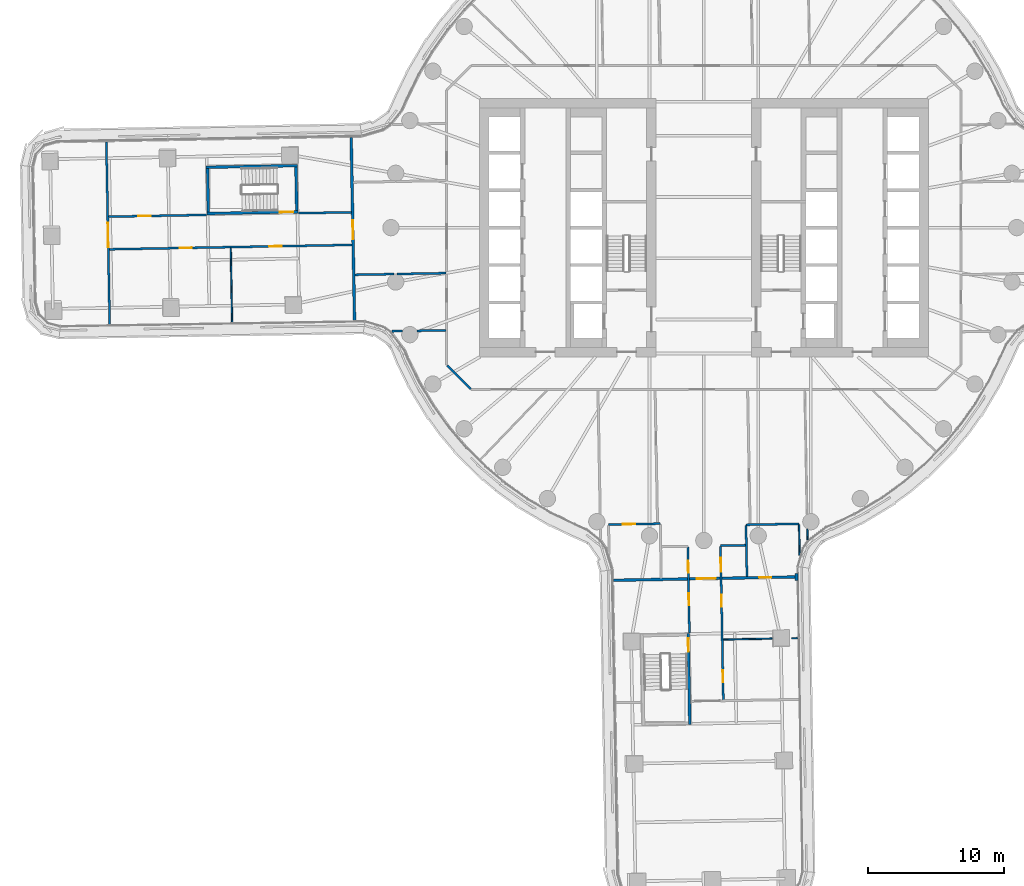
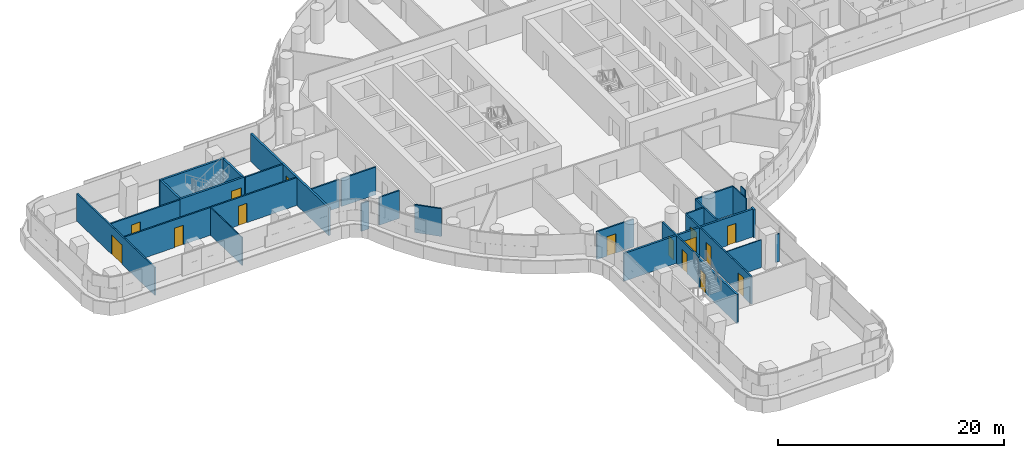
# One storey, part 19 of 31: 28 walls, 15 doors, 15 openings.
"""IFC4 building model written with IfcOpenShell, lengths in metres."""

from ifc_helpers import new_model, si_unit, direction, frame, frame_2d, origin, place, context, subcontext, project, spatial, polyline, rectangle, outline, extrude, material, layer, layer_set, type_object, element, fill, save


model = new_model("IFC4")

# Units and contexts
model_context = context("Model", 3, precision=1e-05, world=origin(), true_north=direction((0.0, 1.0)))
body_context = subcontext(model_context, "Body", "Model", "MODEL_VIEW")
ifc_project = project(units=[si_unit("LENGTHUNIT", "METRE"), si_unit("AREAUNIT", "SQUARE_METRE"), si_unit("VOLUMEUNIT", "CUBIC_METRE"), si_unit("PLANEANGLEUNIT", "RADIAN"), si_unit("MASSUNIT", "GRAM", prefix="KILO")], contexts=[model_context])

# Site, building, storey
site_placement = place(None, origin())
site = spatial("IfcSite", under=ifc_project, at=site_placement, CompositionType="ELEMENT")
building_placement = place(site_placement, origin())
building = spatial("IfcBuilding", under=site, at=building_placement, Name="Tamarind Cross Interchange Tower", CompositionType="ELEMENT")
storey_placement = place(building_placement, frame((0.0, 0.0, 37.75)))
storey = spatial("IfcBuildingStorey", under=building, at=storey_placement, Name="L07", CompositionType="ELEMENT", Elevation=37.75)

# Walls
ifc_material_1 = material(Name="Gypsum board partition on steel studs", Category="steel")
ifc_layer_1 = layer(ifc_material_1, 0.10009765625)
ifc_layer_set_1 = layer_set([ifc_layer_1], Name="Gypsum board partition on steel studs")
wall_type_1 = type_object("IfcWallType", Name="Partition 100 mm EI 90", PredefinedType="PARTITIONING", material=ifc_layer_set_1)
wall_1_placement = place(storey_placement, frame((-34.77490234375, -1.492919921875, 0.0), z_axis=(0.0, 0.0, 1.0), x_axis=(0.018271378551, -0.999833064429, 0.0)))
element("IfcWall", 1, at=wall_1_placement, inside=storey, type_object=wall_type_1, Name="Partition L07-002", PredefinedType="PARTITIONING", context=body_context, shape_type="SweptSolid", body=[
    extrude(rectangle(XDim=5.465087890625, YDim=0.10009765625, at=frame_2d((2.732421875, 0.0))), origin(), (0.0, 0.0, 1.0), 3.010009765625),
])
wall_2_placement = place(storey_placement, frame((6.998046875, -21.83203125, 0.0), z_axis=(0.0, 0.0, 1.0), x_axis=(0.01816309324, -0.999835037416, 0.0)))
element("IfcWall", 2, at=wall_2_placement, inside=storey, type_object=wall_type_1, Name="Partition L07-022", PredefinedType="PARTITIONING", context=body_context, shape_type="SweptSolid", body=[
    extrude(rectangle(XDim=2.25830078125, YDim=0.10009765625, at=frame_2d((1.129150390625, 0.0))), origin(), (0.0, 0.0, 1.0), 3.010009765625),
])
wall_3_placement = place(storey_placement, frame((7.603759765625, -22.152587890625, 0.0), z_axis=(0.0, 0.0, 1.0), x_axis=(0.01802629026, -0.999837513229, 0.0)))
element("IfcWall", 3, at=wall_3_placement, inside=storey, type_object=wall_type_1, Name="Partition L07-024", PredefinedType="PARTITIONING", context=body_context, shape_type="SweptSolid", body=[
    extrude(rectangle(XDim=0.78564453125, YDim=0.10009765625, at=frame_2d((0.392822265625, 0.0))), origin(), (0.0, 0.0, 1.0), 3.010009765625),
])
wall_4_placement = place(storey_placement, frame((1.410888671875, -30.27587890625, 0.0), z_axis=(0.0, 0.0, 1.0), x_axis=(0.999833742132, 0.018234256043, 0.0)))
element("IfcWall", 4, at=wall_4_placement, inside=storey, type_object=wall_type_1, Name="Partition L07-061", PredefinedType="PARTITIONING", context=body_context, shape_type="SweptSolid", body=[
    extrude(rectangle(XDim=3.6015625, YDim=0.10009765625, at=frame_2d((1.80078125, 0.0))), origin(), (0.0, 0.0, 1.0), 3.010009765625),
])
wall_5_placement = place(storey_placement, frame((6.444580078125, -30.18408203125, 0.0), z_axis=(0.0, 0.0, 1.0), x_axis=(0.999832173276, 0.018320078689, 0.0)))
element("IfcWall", 5, at=wall_5_placement, inside=storey, type_object=wall_type_1, Name="Partition L07-062", PredefinedType="PARTITIONING", context=body_context, shape_type="SweptSolid", body=[
    extrude(rectangle(XDim=0.439697265625, YDim=0.10009765625, at=frame_2d((0.2197265625, 0.0))), origin(), (0.0, 0.0, 1.0), 3.010009765625),
])

# Wall, opening, door
ifc_layer_2 = layer(ifc_material_1, 0.14990234375)
ifc_layer_set_2 = layer_set([ifc_layer_2], Name="Gypsum board partition on steel studs")
wall_type_2 = type_object("IfcWallType", Name="Partition 150 mm EI 120", PredefinedType="PARTITIONING", material=ifc_layer_set_2)
wall_6_placement = place(storey_placement, frame((-43.9189453125, 6.30029296875, 0.0), z_axis=(0.0, 0.0, 1.0), x_axis=(0.01826686545, -0.999833146893, 0.0)))
wall_6 = element("IfcWall", 6, at=wall_6_placement, inside=storey, type_object=wall_type_2, Name="Partition L07-001", PredefinedType="PARTITIONING", context=body_context, shape_type="SweptSolid", body=[
    extrude(rectangle(XDim=13.4052734375, YDim=0.14990234375, at=frame_2d((6.70263671875, 0.0))), origin(), (0.0, 0.0, 1.0), 3.010009765625),
])
opening_1_placement = place(wall_6_placement, frame((5.94921875, 0.0, 0.0)))
opening_1 = element("IfcOpeningElement", 7, at=opening_1_placement, cuts=wall_6, Name="Opening D01", PredefinedType="OPENING", context=body_context, shape_type="SweptSolid", body=[
    extrude(rectangle(XDim=1.800048828125, YDim=2.10009765625, at=frame_2d((0.89990234375, 1.050048828125))), frame((0.0, 0.0849609375, 0.0), z_axis=(0.0, -1.0, 0.0), x_axis=(1.0, 0.0, 0.0)), (0.0, 0.0, 1.0), 0.169921875),
])
ifc_material_2 = material(Name="Fire-resisting door set")
door_type_1 = type_object("IfcDoorType", Name="Interior door 1800 x 2100 FD60S", OperationType="DOUBLE_DOOR_SINGLE_SWING", PredefinedType="DOOR", material=ifc_material_2)
door_1_placement = place(opening_1_placement, frame((1.800048828125, 0.0, 0.0), z_axis=(0.0, 0.0, 1.0), x_axis=(-1.0, 0.0, 0.0)))
door_1 = element("IfcDoor", 8, at=door_1_placement, inside=storey, type_object=door_type_1, Name="Door D01", OperationType="DOUBLE_DOOR_SINGLE_SWING", OverallHeight=2.10009765625, OverallWidth=1.800048828125, PredefinedType="DOOR", context=body_context, shape_type="SweptSolid", body=[
    extrude(rectangle(XDim=1.800048828125, YDim=2.10009765625, at=frame_2d((0.89990234375, 1.050048828125))), frame((0.0, 0.02490234375, 0.0), z_axis=(0.0, -1.0, 0.0), x_axis=(1.0, 0.0, 0.0)), (0.0, 0.0, 1.0), 0.050048828125),
])
fill(opening_1, door_1)

# Wall, openings, doors
wall_7_placement = place(storey_placement, frame((-1.1728515625, -23.48193359375, 0.0), z_axis=(0.0, 0.0, 1.0), x_axis=(0.017905493988, -0.999839683792, 0.0)))
wall_7 = element("IfcWall", 9, at=wall_7_placement, inside=storey, type_object=wall_type_2, Name="Partition L07-014", PredefinedType="PARTITIONING", context=body_context, shape_type="SweptSolid", body=[
    extrude(rectangle(XDim=6.29931640625, YDim=0.14990234375, at=frame_2d((3.149658203125, 0.0))), origin(), (0.0, 0.0, 1.0), 3.010009765625),
])
opening_2_placement = place(wall_7_placement, frame((0.989990234375, 0.0, 0.0)))
opening_2 = element("IfcOpeningElement", 10, at=opening_2_placement, cuts=wall_7, Name="Opening D07", PredefinedType="OPENING", context=body_context, shape_type="SweptSolid", body=[
    extrude(rectangle(XDim=0.89990234375, YDim=2.10009765625, at=frame_2d((0.449951171875, 1.050048828125))), frame((0.0, 0.0849609375, 0.0), z_axis=(0.0, -1.0, 0.0), x_axis=(1.0, 0.0, 0.0)), (0.0, 0.0, 1.0), 0.169921875),
])
opening_3_placement = place(wall_7_placement, frame((3.389404296875, 0.0, 0.0)))
opening_3 = element("IfcOpeningElement", 11, at=opening_3_placement, cuts=wall_7, Name="Opening D08", PredefinedType="OPENING", context=body_context, shape_type="SweptSolid", body=[
    extrude(rectangle(XDim=0.89990234375, YDim=2.10009765625, at=frame_2d((0.449951171875, 1.050048828125))), frame((0.0, 0.0849609375, 0.0), z_axis=(0.0, -1.0, 0.0), x_axis=(1.0, 0.0, 0.0)), (0.0, 0.0, 1.0), 0.169921875),
])
door_type_2 = type_object("IfcDoorType", Name="Interior door 900 x 2100 FD60S", OperationType="SINGLE_SWING_LEFT", PredefinedType="DOOR", material=ifc_material_2)
door_2_placement = place(opening_2_placement, frame((0.89990234375, 0.0, 0.0), z_axis=(0.0, 0.0, 1.0), x_axis=(-1.0, 0.0, 0.0)))
door_2 = element("IfcDoor", 12, at=door_2_placement, inside=storey, type_object=door_type_2, Name="Door D07", OperationType="SINGLE_SWING_LEFT", OverallHeight=2.10009765625, OverallWidth=0.89990234375, PredefinedType="DOOR", context=body_context, shape_type="SweptSolid", body=[
    extrude(rectangle(XDim=0.89990234375, YDim=2.10009765625, at=frame_2d((0.449951171875, 1.050048828125))), frame((0.0, 0.02490234375, 0.0), z_axis=(0.0, -1.0, 0.0), x_axis=(1.0, 0.0, 0.0)), (0.0, 0.0, 1.0), 0.050048828125),
])
fill(opening_2, door_2)
door_3_placement = place(opening_3_placement, frame((0.89990234375, 0.0, 0.0), z_axis=(0.0, 0.0, 1.0), x_axis=(-1.0, 0.0, 0.0)))
door_3 = element("IfcDoor", 13, at=door_3_placement, inside=storey, type_object=door_type_2, Name="Door D08", OperationType="SINGLE_SWING_RIGHT", OverallHeight=2.10009765625, OverallWidth=0.89990234375, PredefinedType="DOOR", context=body_context, shape_type="SweptSolid", body=[
    extrude(rectangle(XDim=0.89990234375, YDim=2.10009765625, at=frame_2d((0.449951171875, 1.050048828125))), frame((0.0, 0.02490234375, 0.0), z_axis=(0.0, -1.0, 0.0), x_axis=(1.0, 0.0, 0.0)), (0.0, 0.0, 1.0), 0.050048828125),
])
fill(opening_3, door_3)

wall_8_placement = place(storey_placement, frame((1.22607421875, -23.43798828125, 0.0), z_axis=(0.0, 0.0, 1.0), x_axis=(0.018332236433, -0.999831950433, 0.0)))
wall_8 = element("IfcWall", 14, at=wall_8_placement, inside=storey, type_object=wall_type_2, Name="Partition L07-017", PredefinedType="PARTITIONING", context=body_context, shape_type="SweptSolid", body=[
    extrude(rectangle(XDim=11.280029296875, YDim=0.14990234375, at=frame_2d((5.64013671875, 0.0))), origin(), (0.0, 0.0, 1.0), 3.010009765625),
])
opening_4_placement = place(wall_8_placement, frame((0.840087890625, 0.0, 0.0)))
opening_4 = element("IfcOpeningElement", 15, at=opening_4_placement, cuts=wall_8, Name="Opening D10", PredefinedType="OPENING", context=body_context, shape_type="SweptSolid", body=[
    extrude(rectangle(XDim=1.0, YDim=2.10009765625, at=frame_2d((0.5, 1.050048828125))), frame((0.0, 0.0849609375, 0.0), z_axis=(0.0, -1.0, 0.0), x_axis=(1.0, 0.0, 0.0)), (0.0, 0.0, 1.0), 0.169921875),
])
opening_5_placement = place(wall_8_placement, frame((3.539306640625, 0.0, 0.0)))
opening_5 = element("IfcOpeningElement", 16, at=opening_5_placement, cuts=wall_8, Name="Opening D11", PredefinedType="OPENING", context=body_context, shape_type="SweptSolid", body=[
    extrude(rectangle(XDim=0.89990234375, YDim=2.10009765625, at=frame_2d((0.449951171875, 1.050048828125))), frame((0.0, 0.0849609375, 0.0), z_axis=(0.0, -1.0, 0.0), x_axis=(1.0, 0.0, 0.0)), (0.0, 0.0, 1.0), 0.169921875),
])
opening_6_placement = place(wall_8_placement, frame((9.090087890625, 0.0, 0.0)))
opening_6 = element("IfcOpeningElement", 17, at=opening_6_placement, cuts=wall_8, Name="Opening D12", PredefinedType="OPENING", context=body_context, shape_type="SweptSolid", body=[
    extrude(rectangle(XDim=0.89990234375, YDim=2.10009765625, at=frame_2d((0.449951171875, 1.050048828125))), frame((0.0, 0.0849609375, 0.0), z_axis=(0.0, -1.0, 0.0), x_axis=(1.0, 0.0, 0.0)), (0.0, 0.0, 1.0), 0.169921875),
])
door_type_3 = type_object("IfcDoorType", Name="Interior door 1000 x 2100 FD60S", OperationType="SINGLE_SWING_LEFT", PredefinedType="DOOR", material=ifc_material_2)
door_4_placement = place(opening_4_placement, origin())
door_4 = element("IfcDoor", 18, at=door_4_placement, inside=storey, type_object=door_type_3, Name="Door D10", OperationType="SINGLE_SWING_RIGHT", OverallHeight=2.10009765625, OverallWidth=1.0, PredefinedType="DOOR", context=body_context, shape_type="SweptSolid", body=[
    extrude(rectangle(XDim=1.0, YDim=2.10009765625, at=frame_2d((0.5, 1.050048828125))), frame((0.0, 0.02490234375, 0.0), z_axis=(0.0, -1.0, 0.0), x_axis=(1.0, 0.0, 0.0)), (0.0, 0.0, 1.0), 0.050048828125),
])
fill(opening_4, door_4)
door_5_placement = place(opening_5_placement, origin())
door_5 = element("IfcDoor", 19, at=door_5_placement, inside=storey, type_object=door_type_2, Name="Door D11", OperationType="SINGLE_SWING_RIGHT", OverallHeight=2.10009765625, OverallWidth=0.89990234375, PredefinedType="DOOR", context=body_context, shape_type="SweptSolid", body=[
    extrude(rectangle(XDim=0.89990234375, YDim=2.10009765625, at=frame_2d((0.449951171875, 1.050048828125))), frame((0.0, 0.02490234375, 0.0), z_axis=(0.0, -1.0, 0.0), x_axis=(1.0, 0.0, 0.0)), (0.0, 0.0, 1.0), 0.050048828125),
])
fill(opening_5, door_5)
door_6_placement = place(opening_6_placement, origin())
door_6 = element("IfcDoor", 20, at=door_6_placement, inside=storey, type_object=door_type_2, Name="Door D12", OperationType="SINGLE_SWING_LEFT", OverallHeight=2.10009765625, OverallWidth=0.89990234375, PredefinedType="DOOR", context=body_context, shape_type="SweptSolid", body=[
    extrude(rectangle(XDim=0.89990234375, YDim=2.10009765625, at=frame_2d((0.449951171875, 1.050048828125))), frame((0.0, 0.02490234375, 0.0), z_axis=(0.0, -1.0, 0.0), x_axis=(1.0, 0.0, 0.0)), (0.0, 0.0, 1.0), 0.050048828125),
])
fill(opening_6, door_6)

# Walls
wall_9_placement = place(storey_placement, frame((3.09912109375, -21.903076171875, 0.0), z_axis=(0.0, 0.0, 1.0), x_axis=(0.018007482773, -0.999837852136, 0.0)))
element("IfcWall", 21, at=wall_9_placement, inside=storey, type_object=wall_type_2, Name="Partition L07-018", PredefinedType="PARTITIONING", context=body_context, shape_type="SweptSolid", body=[
    extrude(rectangle(XDim=3.75537109375, YDim=0.14990234375, at=frame_2d((1.877685546875, 0.0))), origin(), (0.0, 0.0, 1.0), 3.010009765625),
])
wall_10_placement = place(storey_placement, frame((-18.87158203125, -10.12841796875, 0.0), z_axis=(0.0, 0.0, 1.0), x_axis=(0.707106781187, -0.707106781187, 0.0)))
element("IfcWall", 22, at=wall_10_placement, inside=storey, type_object=wall_type_2, Name="Partition L07-032", PredefinedType="PARTITIONING", context=body_context, shape_type="SweptSolid", body=[
    extrude(rectangle(XDim=2.465087890625, YDim=0.14990234375, at=frame_2d((1.232421875, 0.0))), origin(), (0.0, 0.0, 1.0), 3.010009765625),
])

# Wall, opening, door
wall_11_placement = place(storey_placement, frame((-43.758056640625, 0.802978515625, 0.0), z_axis=(0.0, 0.0, 1.0), x_axis=(0.999832356344, 0.018310084865, 0.0)))
wall_11 = element("IfcWall", 23, at=wall_11_placement, inside=storey, type_object=wall_type_2, Name="Partition L07-038", PredefinedType="PARTITIONING", context=body_context, shape_type="SweptSolid", body=[
    extrude(rectangle(XDim=7.2001953125, YDim=0.14990234375, at=frame_2d((3.60009765625, 0.0))), origin(), (0.0, 0.0, 1.0), 3.010009765625),
])
opening_7_placement = place(wall_11_placement, frame((2.18994140625, 0.0, 0.0)))
opening_7 = element("IfcOpeningElement", 24, at=opening_7_placement, cuts=wall_11, Name="Opening D23", PredefinedType="OPENING", context=body_context, shape_type="SweptSolid", body=[
    extrude(rectangle(XDim=0.89990234375, YDim=2.10009765625, at=frame_2d((0.449951171875, 1.050048828125))), frame((0.0, 0.0849609375, 0.0), z_axis=(0.0, -1.0, 0.0), x_axis=(1.0, 0.0, 0.0)), (0.0, 0.0, 1.0), 0.169921875),
])
door_7_placement = place(opening_7_placement, origin())
door_7 = element("IfcDoor", 25, at=door_7_placement, inside=storey, type_object=door_type_2, Name="Door D23", OperationType="SINGLE_SWING_RIGHT", OverallHeight=2.10009765625, OverallWidth=0.89990234375, PredefinedType="DOOR", context=body_context, shape_type="SweptSolid", body=[
    extrude(rectangle(XDim=0.89990234375, YDim=2.10009765625, at=frame_2d((0.449951171875, 1.050048828125))), frame((0.0, 0.02490234375, 0.0), z_axis=(0.0, -1.0, 0.0), x_axis=(1.0, 0.0, 0.0)), (0.0, 0.0, 1.0), 0.050048828125),
])
fill(opening_7, door_7)

# Wall
wall_12_placement = place(storey_placement, frame((-29.7802734375, 1.05859375, 0.0), z_axis=(0.0, 0.0, 1.0), x_axis=(0.999833060881, 0.01827157273, 0.0)))
element("IfcWall", 26, at=wall_12_placement, inside=storey, type_object=wall_type_2, Name="Partition L07-039", PredefinedType="PARTITIONING", context=body_context, shape_type="SweptSolid", body=[
    extrude(rectangle(XDim=3.875, YDim=0.14990234375, at=frame_2d((1.9375, 0.0))), origin(), (0.0, 0.0, 1.0), 3.010009765625),
])

# Wall, openings, doors
wall_13_placement = place(storey_placement, frame((-43.714111328125, -1.595947265625, 0.0), z_axis=(0.0, 0.0, 1.0), x_axis=(0.999833878459, 0.018226779355, 0.0)))
wall_13 = element("IfcWall", 27, at=wall_13_placement, inside=storey, type_object=wall_type_2, Name="Partition L07-040", PredefinedType="PARTITIONING", context=body_context, shape_type="SweptSolid", body=[
    extrude(rectangle(XDim=17.85498046875, YDim=0.14990234375, at=frame_2d((8.927490234375, 0.0))), origin(), (0.0, 0.0, 1.0), 3.010009765625),
])
opening_8_placement = place(wall_13_placement, frame((11.78955078125, 0.0, 0.0)))
opening_8 = element("IfcOpeningElement", 28, at=opening_8_placement, cuts=wall_13, Name="Opening D24", PredefinedType="OPENING", context=body_context, shape_type="SweptSolid", body=[
    extrude(rectangle(XDim=0.89990234375, YDim=2.10009765625, at=frame_2d((0.449951171875, 1.050048828125))), frame((0.0, 0.0849609375, 0.0), z_axis=(0.0, -1.0, 0.0), x_axis=(1.0, 0.0, 0.0)), (0.0, 0.0, 1.0), 0.169921875),
])
opening_9_placement = place(wall_13_placement, frame((5.18994140625, 0.0, 0.0)))
opening_9 = element("IfcOpeningElement", 29, at=opening_9_placement, cuts=wall_13, Name="Opening D25", PredefinedType="OPENING", context=body_context, shape_type="SweptSolid", body=[
    extrude(rectangle(XDim=0.89990234375, YDim=2.10009765625, at=frame_2d((0.449951171875, 1.050048828125))), frame((0.0, 0.0849609375, 0.0), z_axis=(0.0, -1.0, 0.0), x_axis=(1.0, 0.0, 0.0)), (0.0, 0.0, 1.0), 0.169921875),
])
door_8_placement = place(opening_8_placement, frame((0.89990234375, 0.0, 0.0), z_axis=(0.0, 0.0, 1.0), x_axis=(-1.0, 0.0, 0.0)))
door_8 = element("IfcDoor", 30, at=door_8_placement, inside=storey, type_object=door_type_2, Name="Door D24", OperationType="SINGLE_SWING_RIGHT", OverallHeight=2.10009765625, OverallWidth=0.89990234375, PredefinedType="DOOR", context=body_context, shape_type="SweptSolid", body=[
    extrude(rectangle(XDim=0.89990234375, YDim=2.10009765625, at=frame_2d((0.449951171875, 1.050048828125))), frame((0.0, 0.02490234375, 0.0), z_axis=(0.0, -1.0, 0.0), x_axis=(1.0, 0.0, 0.0)), (0.0, 0.0, 1.0), 0.050048828125),
])
fill(opening_8, door_8)
door_9_placement = place(opening_9_placement, frame((0.89990234375, 0.0, 0.0), z_axis=(0.0, 0.0, 1.0), x_axis=(-1.0, 0.0, 0.0)))
door_9 = element("IfcDoor", 31, at=door_9_placement, inside=storey, type_object=door_type_2, Name="Door D25", OperationType="SINGLE_SWING_LEFT", OverallHeight=2.10009765625, OverallWidth=0.89990234375, PredefinedType="DOOR", context=body_context, shape_type="SweptSolid", body=[
    extrude(rectangle(XDim=0.89990234375, YDim=2.10009765625, at=frame_2d((0.449951171875, 1.050048828125))), frame((0.0, 0.02490234375, 0.0), z_axis=(0.0, -1.0, 0.0), x_axis=(1.0, 0.0, 0.0)), (0.0, 0.0, 1.0), 0.050048828125),
])
fill(opening_9, door_9)

# Walls
wall_14_placement = place(storey_placement, frame((-25.652099609375, -3.46728515625, 0.0), z_axis=(0.0, 0.0, 1.0), x_axis=(0.999834723768, 0.01818035061, 0.0)))
element("IfcWall", 32, at=wall_14_placement, inside=storey, type_object=wall_type_2, Name="Partition L07-043", PredefinedType="PARTITIONING", context=body_context, shape_type="SweptSolid", body=[
    extrude(rectangle(XDim=2.88720703125, YDim=0.14990234375, at=frame_2d((1.443603515625, 0.0))), origin(), (0.0, 0.0, 1.0), 3.010009765625),
])
wall_15_placement = place(storey_placement, frame((-22.55029296875, -3.41064453125, 0.0), z_axis=(0.0, 0.0, 1.0), x_axis=(0.999833986919, 0.018220828811, 0.0)))
element("IfcWall", 33, at=wall_15_placement, inside=storey, type_object=wall_type_2, Name="Partition L07-044", PredefinedType="PARTITIONING", context=body_context, shape_type="SweptSolid", body=[
    extrude(rectangle(XDim=3.5908203125, YDim=0.14990234375, at=frame_2d((1.79541015625, 0.0))), origin(), (0.0, 0.0, 1.0), 3.010009765625),
])
wall_16_placement = place(storey_placement, frame((-22.93798828125, -7.617919921875, 0.0), z_axis=(0.0, 0.0, 1.0), x_axis=(0.999837513229, 0.01802629026, 0.0)))
element("IfcWall", 34, at=wall_16_placement, inside=storey, type_object=wall_type_2, Name="Partition L07-045", PredefinedType="PARTITIONING", context=body_context, shape_type="SweptSolid", body=[
    extrude(rectangle(XDim=0.78564453125, YDim=0.14990234375, at=frame_2d((0.392822265625, 0.0))), origin(), (0.0, 0.0, 1.0), 3.010009765625),
])
wall_17_placement = place(storey_placement, frame((-21.07861328125, -7.58447265625, 0.0), z_axis=(0.0, 0.0, 1.0), x_axis=(0.999836384885, 0.018088766124, 0.0)))
element("IfcWall", 35, at=wall_17_placement, inside=storey, type_object=wall_type_2, Name="Partition L07-046", PredefinedType="PARTITIONING", context=body_context, shape_type="SweptSolid", body=[
    extrude(rectangle(XDim=2.118896484375, YDim=0.14990234375, at=frame_2d((1.0595703125, 0.0))), origin(), (0.0, 0.0, 1.0), 3.010009765625),
])

# Wall, opening, door
wall_18_placement = place(storey_placement, frame((-7.00390625, -21.827880859375, 0.0), z_axis=(0.0, 0.0, 1.0), x_axis=(0.999831122084, 0.018377358671, 0.0)))
wall_18 = element("IfcWall", 36, at=wall_18_placement, inside=storey, type_object=wall_type_2, Name="Partition L07-049", PredefinedType="PARTITIONING", context=body_context, shape_type="SweptSolid", body=[
    extrude(rectangle(XDim=3.799560546875, YDim=0.14990234375, at=frame_2d((1.89990234375, 0.0))), origin(), (0.0, 0.0, 1.0), 3.010009765625),
])
opening_10_placement = place(wall_18_placement, frame((1.050048828125, 0.0, 0.0)))
opening_10 = element("IfcOpeningElement", 37, at=opening_10_placement, cuts=wall_18, Name="Opening D26", PredefinedType="OPENING", context=body_context, shape_type="SweptSolid", body=[
    extrude(rectangle(XDim=0.89990234375, YDim=2.10009765625, at=frame_2d((0.449951171875, 1.050048828125))), frame((0.0, 0.0849609375, 0.0), z_axis=(0.0, -1.0, 0.0), x_axis=(1.0, 0.0, 0.0)), (0.0, 0.0, 1.0), 0.169921875),
])
door_10_placement = place(opening_10_placement, frame((0.89990234375, 0.0, 0.0), z_axis=(0.0, 0.0, 1.0), x_axis=(-1.0, 0.0, 0.0)))
door_10 = element("IfcDoor", 38, at=door_10_placement, inside=storey, type_object=door_type_2, Name="Door D26", OperationType="SINGLE_SWING_LEFT", OverallHeight=2.10009765625, OverallWidth=0.89990234375, PredefinedType="DOOR", context=body_context, shape_type="SweptSolid", body=[
    extrude(rectangle(XDim=0.89990234375, YDim=2.10009765625, at=frame_2d((0.449951171875, 1.050048828125))), frame((0.0, 0.02490234375, 0.0), z_axis=(0.0, -1.0, 0.0), x_axis=(1.0, 0.0, 0.0)), (0.0, 0.0, 1.0), 0.050048828125),
])
fill(opening_10, door_10)

# Walls
wall_19_placement = place(storey_placement, frame((1.22509765625, -23.37890625, 0.0), z_axis=(0.0, 0.0, 1.0), x_axis=(0.99983719791, 0.018043771088, 0.0)))
element("IfcWall", 39, at=wall_19_placement, inside=storey, type_object=wall_type_2, Name="Partition L07-060", PredefinedType="PARTITIONING", context=body_context, shape_type="SweptSolid", body=[
    extrude(rectangle(XDim=1.840087890625, YDim=0.14990234375, at=frame_2d((0.919921875, 0.0))), origin(), (0.0, 0.0, 1.0), 3.010009765625),
])
wall_20_placement = place(storey_placement, frame((3.097900390625, -21.843017578125, 0.0), z_axis=(0.0, 0.0, 1.0), x_axis=(0.999834047559, 0.01821750096, 0.0)))
element("IfcWall", 40, at=wall_20_placement, inside=storey, type_object=wall_type_2, Name="Partition L07-063", PredefinedType="PARTITIONING", context=body_context, shape_type="SweptSolid", body=[
    extrude(rectangle(XDim=3.89990234375, YDim=0.14990234375, at=frame_2d((1.949951171875, 0.0))), origin(), (0.0, 0.0, 1.0), 3.010009765625),
])

# Wall, opening, door
ifc_layer_3 = layer(ifc_material_1, 0.199951171875)
ifc_layer_set_3 = layer_set([ifc_layer_3], Name="Gypsum board partition on steel studs")
wall_type_3 = type_object("IfcWallType", Name="Partition 200 mm EI 180", PredefinedType="PARTITIONING", material=ifc_layer_set_3)
wall_21_placement = place(storey_placement, frame((-25.922119140625, 6.628662109375, 0.0), z_axis=(0.0, 0.0, 1.0), x_axis=(0.018380182435, -0.999831070178, 0.0)))
wall_21 = element("IfcWall", 41, at=wall_21_placement, inside=storey, type_object=wall_type_3, Name="Partition L07-003", PredefinedType="PARTITIONING", context=body_context, shape_type="SweptSolid", body=[
    extrude(rectangle(XDim=13.442138671875, YDim=0.199951171875, at=frame_2d((6.72119140625, 0.0))), origin(), (0.0, 0.0, 1.0), 3.010009765625),
])
opening_11_placement = place(wall_21_placement, frame((6.098388671875, 0.0, 0.0)))
opening_11 = element("IfcOpeningElement", 42, at=opening_11_placement, cuts=wall_21, Name="Opening D02", PredefinedType="OPENING", context=body_context, shape_type="SweptSolid", body=[
    extrude(rectangle(XDim=1.39990234375, YDim=2.10009765625, at=frame_2d((0.699951171875, 1.050048828125))), frame((0.0, 0.10986328125, 0.0), z_axis=(0.0, -1.0, 0.0), x_axis=(1.0, 0.0, 0.0)), (0.0, 0.0, 1.0), 0.219970703125),
])
door_type_4 = type_object("IfcDoorType", Name="Interior door 1400 x 2100 FD120S", OperationType="DOUBLE_DOOR_SINGLE_SWING", PredefinedType="DOOR", material=ifc_material_2)
door_11_placement = place(opening_11_placement, origin())
door_11 = element("IfcDoor", 43, at=door_11_placement, inside=storey, type_object=door_type_4, Name="Door D02", OperationType="DOUBLE_DOOR_SINGLE_SWING", OverallHeight=2.10009765625, OverallWidth=1.39990234375, PredefinedType="DOOR", context=body_context, shape_type="SweptSolid", body=[
    extrude(rectangle(XDim=1.39990234375, YDim=2.10009765625, at=frame_2d((0.699951171875, 1.050048828125))), frame((0.0, 0.02490234375, 0.0), z_axis=(0.0, -1.0, 0.0), x_axis=(1.0, 0.0, 0.0)), (0.0, 0.0, 1.0), 0.050048828125),
])
fill(opening_11, door_11)

# Wall, openings, doors
wall_22_placement = place(storey_placement, frame((-6.628662109375, -25.922119140625, 0.0), z_axis=(0.0, 0.0, 1.0), x_axis=(0.999831272532, 0.018369171674, 0.0)))
wall_22 = element("IfcWall", 44, at=wall_22_placement, inside=storey, type_object=wall_type_3, Name="Partition L07-056", PredefinedType="PARTITIONING", context=body_context, shape_type="SweptSolid", body=[
    extrude(rectangle(XDim=13.357177734375, YDim=0.199951171875, at=frame_2d((6.6787109375, 0.0))), origin(), (0.0, 0.0, 1.0), 3.010009765625),
])
opening_12_placement = place(wall_22_placement, frame((6.098388671875, 0.0, 0.0)))
opening_12 = element("IfcOpeningElement", 45, at=opening_12_placement, cuts=wall_22, Name="Opening D30", PredefinedType="OPENING", context=body_context, shape_type="SweptSolid", body=[
    extrude(rectangle(XDim=1.39990234375, YDim=2.10009765625, at=frame_2d((0.699951171875, 1.050048828125))), frame((0.0, 0.10986328125, 0.0), z_axis=(0.0, -1.0, 0.0), x_axis=(1.0, 0.0, 0.0)), (0.0, 0.0, 1.0), 0.219970703125),
])
opening_13_placement = place(wall_22_placement, frame((10.69921875, 0.0, 0.0)))
opening_13 = element("IfcOpeningElement", 46, at=opening_13_placement, cuts=wall_22, Name="Opening D31", PredefinedType="OPENING", context=body_context, shape_type="SweptSolid", body=[
    extrude(rectangle(XDim=0.89990234375, YDim=2.10009765625, at=frame_2d((0.449951171875, 1.050048828125))), frame((0.0, 0.10986328125, 0.0), z_axis=(0.0, -1.0, 0.0), x_axis=(1.0, 0.0, 0.0)), (0.0, 0.0, 1.0), 0.219970703125),
])
door_12_placement = place(opening_12_placement, origin())
door_12 = element("IfcDoor", 47, at=door_12_placement, inside=storey, type_object=door_type_4, Name="Door D30", OperationType="DOUBLE_DOOR_SINGLE_SWING", OverallHeight=2.10009765625, OverallWidth=1.39990234375, PredefinedType="DOOR", context=body_context, shape_type="SweptSolid", body=[
    extrude(rectangle(XDim=1.39990234375, YDim=2.10009765625, at=frame_2d((0.699951171875, 1.050048828125))), frame((0.0, 0.02490234375, 0.0), z_axis=(0.0, -1.0, 0.0), x_axis=(1.0, 0.0, 0.0)), (0.0, 0.0, 1.0), 0.050048828125),
])
fill(opening_12, door_12)
door_type_5 = type_object("IfcDoorType", Name="Interior door 900 x 2100 FD120S", OperationType="SINGLE_SWING_LEFT", PredefinedType="DOOR", material=ifc_material_2)
door_13_placement = place(opening_13_placement, origin())
door_13 = element("IfcDoor", 48, at=door_13_placement, inside=storey, type_object=door_type_5, Name="Door D31", OperationType="SINGLE_SWING_LEFT", OverallHeight=2.10009765625, OverallWidth=0.89990234375, PredefinedType="DOOR", context=body_context, shape_type="SweptSolid", body=[
    extrude(rectangle(XDim=0.89990234375, YDim=2.10009765625, at=frame_2d((0.449951171875, 1.050048828125))), frame((0.0, 0.02490234375, 0.0), z_axis=(0.0, -1.0, 0.0), x_axis=(1.0, 0.0, 0.0)), (0.0, 0.0, 1.0), 0.050048828125),
])
fill(opening_13, door_13)

# Wall
wall_23_placement = place(storey_placement, frame((6.8154296875, -25.925048828125, 0.0), z_axis=(0.0, 0.0, 1.0), x_axis=(-0.016119058439, 0.999870079538, 0.0)))
element("IfcWall", 49, at=wall_23_placement, inside=storey, type_object=wall_type_3, Name="Partition L07-080", PredefinedType="PARTITIONING", context=body_context, shape_type="SweptSolid", body=[
    extrude(rectangle(XDim=0.499755859375, YDim=0.199951171875, at=frame_2d((0.25, 0.0))), origin(), (0.0, 0.0, 1.0), 3.010009765625),
])

# Wall, opening, door
ifc_material_3 = material(Name="Concrete C40", Category="concrete")
ifc_layer_4 = layer(ifc_material_3, 0.199951171875)
ifc_layer_set_4 = layer_set([ifc_layer_4], Name="Concrete C40")
wall_type_4 = type_object("IfcWallType", Name="Stair shaft wall 200 mm Concrete C40", PredefinedType="SHEAR", material=ifc_layer_set_4)
wall_24_placement = place(storey_placement, frame((-29.822509765625, 1.15771484375, -0.139892578125), z_axis=(0.0, 0.0, 1.0), x_axis=(-0.999833339772, -0.018256305242, 0.0)))
wall_24 = element("IfcWall", 50, at=wall_24_placement, inside=storey, type_object=wall_type_4, Name="Core wall CWL-L07-ST5-H", PredefinedType="SHEAR", context=body_context, shape_type="SweptSolid", body=[
    extrude(rectangle(XDim=6.699951171875, YDim=0.199951171875, at=frame_2d((3.35009765625, 0.0))), origin(), (0.0, 0.0, 1.0), 3.14990234375),
])
opening_14_placement = place(wall_24_placement, frame((0.35009765625, 0.0, 0.0)))
opening_14 = element("IfcOpeningElement", 51, at=opening_14_placement, cuts=wall_24, Name="Opening ST5L07", PredefinedType="OPENING", context=body_context, shape_type="SweptSolid", body=[
    extrude(rectangle(XDim=1.0, YDim=2.10009765625, at=frame_2d((0.5, 1.050048828125))), frame((0.0, 0.10986328125, 0.0), z_axis=(0.0, -1.0, 0.0), x_axis=(1.0, 0.0, 0.0)), (0.0, 0.0, 1.0), 0.219970703125),
])
ifc_material_4 = material(Name="Steel, fire-resisting", Category="steel")
door_type_6 = type_object("IfcDoorType", Name="Core fire door 1000 x 2100 FD90", OperationType="SINGLE_SWING_LEFT", PredefinedType="DOOR", material=ifc_material_4)
door_14_placement = place(opening_14_placement, origin())
door_14 = element("IfcDoor", 52, at=door_14_placement, inside=storey, type_object=door_type_6, Name="L07 stair door ST5", OperationType="SINGLE_SWING_LEFT", OverallHeight=2.10009765625, OverallWidth=1.0, PredefinedType="DOOR", context=body_context, shape_type="SweptSolid", body=[
    extrude(rectangle(XDim=1.0, YDim=2.10009765625, at=frame_2d((0.5, 1.050048828125))), frame((0.0, 0.02490234375, 0.0), z_axis=(0.0, -1.0, 0.0), x_axis=(1.0, 0.0, 0.0)), (0.0, 0.0, 1.0), 0.050048828125),
])
fill(opening_14, door_14)

# Walls
wall_25_placement = place(storey_placement, frame((-29.884521484375, 4.556884765625, -0.139892578125), z_axis=(0.0, 0.0, 1.0), x_axis=(-0.999834004252, -0.01821987762, 0.0)))
element("IfcWall", 53, at=wall_25_placement, inside=storey, type_object=wall_type_4, Name="Core wall CWL-L07-ST5-C", PredefinedType="SHEAR", context=body_context, shape_type="SweptSolid", body=[
    extrude(rectangle(XDim=6.699951171875, YDim=0.199951171875, at=frame_2d((3.35009765625, 0.0))), origin(), (0.0, 0.0, 1.0), 3.14990234375),
])
wall_26_placement = place(storey_placement, frame((-29.982666015625, 4.455078125, -0.139892578125), z_axis=(0.0, 0.0, 1.0), x_axis=(0.018234281897, -0.999833741661, 0.0)))
element("IfcWall", 54, at=wall_26_placement, inside=storey, type_object=wall_type_4, Name="Core wall CWL-L07-ST5-CE", PredefinedType="SHEAR", context=body_context, shape_type="SweptSolid", body=[
    extrude(rectangle(XDim=3.199951171875, YDim=0.199951171875, at=frame_2d((1.60009765625, 0.0))), origin(), (0.0, 0.0, 1.0), 3.14990234375),
])
wall_27_placement = place(storey_placement, frame((0.0, 0.0, -0.139892578125)))
element("IfcWall", 55, at=wall_27_placement, inside=storey, type_object=wall_type_4, Name="Core wall CWL-L07-ST5-CF", PredefinedType="SHEAR", context=body_context, shape_type="SweptSolid", body=[
    extrude(outline(polyline([(-36.381591796875, 4.33837890625), (-36.58154296875, 4.334716796875), (-36.523193359375, 1.135498046875), (-36.3232421875, 1.138916015625), (-36.381591796875, 4.33837890625)])), origin(), (0.0, 0.0, 1.0), 3.14990234375),
])

# Wall, opening, door
wall_28_placement = place(storey_placement, frame((-1.15771484375, -29.822509765625, -0.139892578125), z_axis=(0.0, 0.0, 1.0), x_axis=(0.018256305242, -0.999833339772, 0.0)))
wall_28 = element("IfcWall", 56, at=wall_28_placement, inside=storey, type_object=wall_type_4, Name="Core wall CWL-L07-ST6-H", PredefinedType="SHEAR", context=body_context, shape_type="SweptSolid", body=[
    extrude(rectangle(XDim=6.699951171875, YDim=0.199951171875, at=frame_2d((3.35009765625, 0.0))), origin(), (0.0, 0.0, 1.0), 3.14990234375),
])
opening_15_placement = place(wall_28_placement, frame((0.35009765625, 0.0, 0.0)))
opening_15 = element("IfcOpeningElement", 57, at=opening_15_placement, cuts=wall_28, Name="Opening ST6L07", PredefinedType="OPENING", context=body_context, shape_type="SweptSolid", body=[
    extrude(rectangle(XDim=1.0, YDim=2.10009765625, at=frame_2d((0.5, 1.050048828125))), frame((0.0, 0.10986328125, 0.0), z_axis=(0.0, -1.0, 0.0), x_axis=(1.0, 0.0, 0.0)), (0.0, 0.0, 1.0), 0.219970703125),
])
door_15_placement = place(opening_15_placement, origin())
door_15 = element("IfcDoor", 58, at=door_15_placement, inside=storey, type_object=door_type_6, Name="L07 stair door ST6", OperationType="SINGLE_SWING_LEFT", OverallHeight=2.10009765625, OverallWidth=1.0, PredefinedType="DOOR", context=body_context, shape_type="SweptSolid", body=[
    extrude(rectangle(XDim=1.0, YDim=2.10009765625, at=frame_2d((0.5, 1.050048828125))), frame((0.0, 0.02490234375, 0.0), z_axis=(0.0, -1.0, 0.0), x_axis=(1.0, 0.0, 0.0)), (0.0, 0.0, 1.0), 0.050048828125),
])
fill(opening_15, door_15)

save(model, "model.ifc")
